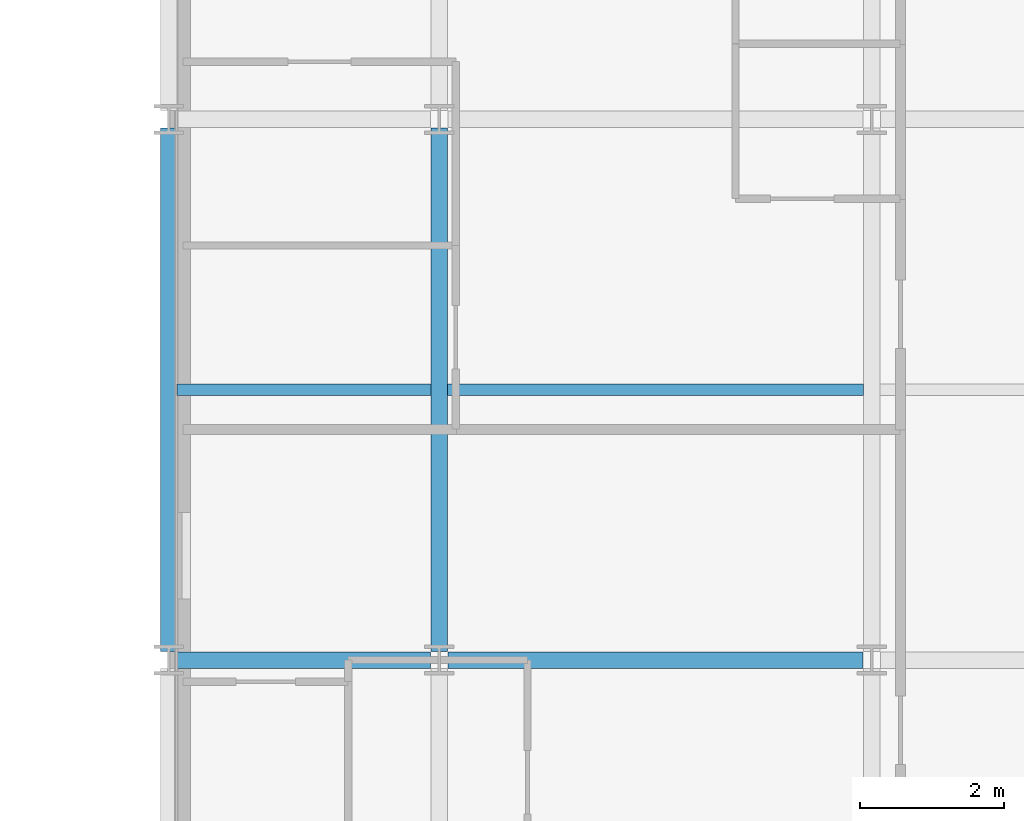
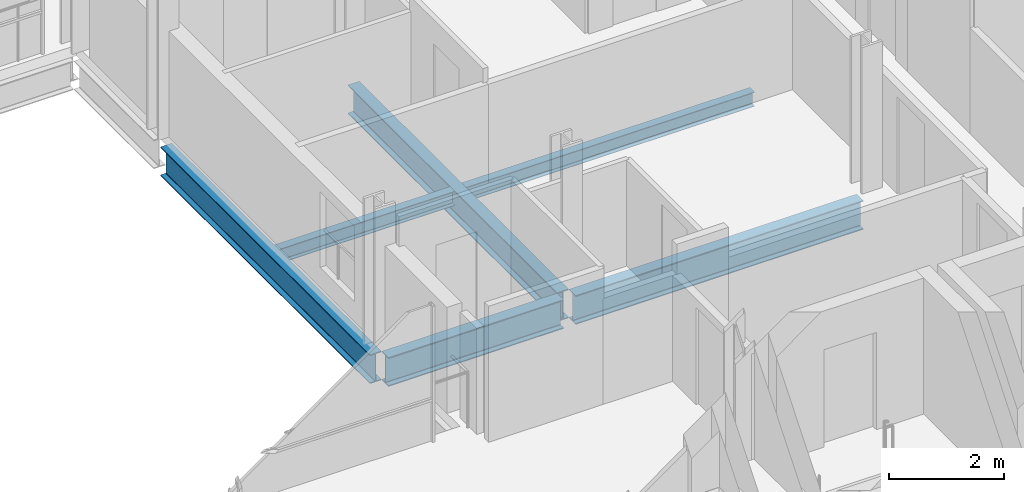
# One storey, part 16 of 41: 6 beams.
"""IFC4 building model written with IfcOpenShell, lengths in metres."""

from ifc_helpers import new_model, si_unit, direction, frame, origin, origin_2d, place, context, subcontext, project, spatial, i_section, extrude, material, material_profile, profile_set, type_object, element, save


model = new_model("IFC4")

# Units and contexts
model_context = context("Model", 3, precision=1e-05, world=origin(), true_north=direction((0.0, 1.0)))
body_context = subcontext(model_context, "Body", "Model", "MODEL_VIEW")
ifc_project = project(units=[si_unit("LENGTHUNIT", "METRE"), si_unit("AREAUNIT", "SQUARE_METRE"), si_unit("VOLUMEUNIT", "CUBIC_METRE"), si_unit("PLANEANGLEUNIT", "RADIAN"), si_unit("MASSUNIT", "GRAM", prefix="KILO")], contexts=[model_context])

# Site, building, storey
site_placement = place(None, origin())
site = spatial("IfcSite", under=ifc_project, at=site_placement, CompositionType="ELEMENT")
building_placement = place(site_placement, origin())
building = spatial("IfcBuilding", under=site, at=building_placement, Name="Brevholm Reach", CompositionType="ELEMENT")
storey_placement = place(building_placement, frame((0.0, 0.0, 100.39990234375)))
storey = spatial("IfcBuildingStorey", under=building, at=storey_placement, Name="L29", CompositionType="ELEMENT", Elevation=100.39990234375)

# Beams
ifc_material_1 = material(Name="Structural Steel S355J2", Category="steel")
ifc_material_profile_1 = material_profile(ifc_material_1, i_section(OverallWidth=0.1650390625, OverallDepth=0.303466796875, WebThickness=0.006103515625, FlangeThickness=0.01025390625, FilletRadius=0.0087890625, at=origin_2d()), Name="UKB 305x165x40")
ifc_profile_set_1 = profile_set([ifc_material_profile_1], Name="Structural Steel S355J2")
beam_type_1 = type_object("IfcBeamType", Name="BM-B305", PredefinedType="BEAM", material=ifc_profile_set_1)
beam_1_placement = place(storey_placement, frame((38.364501953125, 19.75, -0.37158203125), z_axis=(1.0, 0.0, 0.0), x_axis=(0.0, 1.0, 0.0)))
element("IfcBeam", 1, at=beam_1_placement, inside=storey, type_object=beam_type_1, Name="L29 Composite Secondary Floor Beam", PredefinedType="BEAM", context=body_context, shape_type="SweptSolid", body=[
    extrude(i_section(OverallWidth=0.1650390625, OverallDepth=0.303466796875, WebThickness=0.006103515625, FlangeThickness=0.01025390625, FilletRadius=0.0087890625, at=origin_2d()), origin(), (0.0, 0.0, 1.0), 3.52099609375),
])
beam_2_placement = place(storey_placement, frame((42.114501953125, 19.75, -0.37158203125), z_axis=(1.0, 0.0, 0.0), x_axis=(0.0, 1.0, 0.0)))
element("IfcBeam", 2, at=beam_2_placement, inside=storey, type_object=beam_type_1, Name="L29 Composite Secondary Floor Beam", PredefinedType="BEAM", context=body_context, shape_type="SweptSolid", body=[
    extrude(i_section(OverallWidth=0.1650390625, OverallDepth=0.303466796875, WebThickness=0.006103515625, FlangeThickness=0.01025390625, FilletRadius=0.0087890625, at=origin_2d()), origin(), (0.0, 0.0, 1.0), 5.77099609375),
])
ifc_material_2 = material(Name="Structural Steel S355J2", Category="steel")
ifc_material_profile_2 = material_profile(ifc_material_2, i_section(OverallWidth=0.22900390625, OverallDepth=0.6123046875, WebThickness=0.011962890625, FlangeThickness=0.01953125, FilletRadius=0.0126953125, at=origin_2d()), Name="UKB 610x229x125")
ifc_profile_set_2 = profile_set([ifc_material_profile_2], Name="Structural Steel S355J2")
beam_type_2 = type_object("IfcBeamType", Name="BM-SP610", PredefinedType="SPANDREL", material=ifc_profile_set_2)
beam_3_placement = place(storey_placement, frame((38.3701171875, 16.0, -0.526123046875), z_axis=(1.0, 0.0, 0.0), x_axis=(0.0, 1.0, 0.0)))
element("IfcBeam", 3, at=beam_3_placement, inside=storey, type_object=beam_type_2, Name="L29 SP-01 Framing Beam", PredefinedType="SPANDREL", context=body_context, shape_type="SweptSolid", body=[
    extrude(i_section(OverallWidth=0.22900390625, OverallDepth=0.6123046875, WebThickness=0.011962890625, FlangeThickness=0.01953125, FilletRadius=0.0126953125, at=origin_2d()), origin(), (0.0, 0.0, 1.0), 3.509765625),
])
beam_4_placement = place(storey_placement, frame((42.1201171875, 16.0, -0.526123046875), z_axis=(1.0, 0.0, 0.0), x_axis=(0.0, 1.0, 0.0)))
element("IfcBeam", 4, at=beam_4_placement, inside=storey, type_object=beam_type_2, Name="L29 SP-01 Framing Beam", PredefinedType="SPANDREL", context=body_context, shape_type="SweptSolid", body=[
    extrude(i_section(OverallWidth=0.22900390625, OverallDepth=0.6123046875, WebThickness=0.011962890625, FlangeThickness=0.01953125, FilletRadius=0.0126953125, at=origin_2d()), origin(), (0.0, 0.0, 1.0), 5.759765625),
])
for number, where, z_axis, x_axis, name in (
    (5, (38.25, 16.1201171875, -0.526123046875), (0.0, 1.0, 0.0), (-1.0, 0.0, 0.0), "L29 SP-01 Framing Beam"),
    (6, (42.0, 16.1201171875, -0.526123046875), (0.0, 1.0, 0.0), (-1.0, 0.0, 0.0), "L29 SP-01 Framing Beam"),
):
    element("IfcBeam", number, at=place(storey_placement, frame(where, z_axis=z_axis, x_axis=x_axis)), inside=storey, type_object=beam_type_2, Name=name, PredefinedType="SPANDREL", context=body_context, shape_type="SweptSolid", body=[
        extrude(i_section(OverallWidth=0.22900390625, OverallDepth=0.6123046875, WebThickness=0.011962890625, FlangeThickness=0.01953125, FilletRadius=0.0126953125, at=origin_2d()), origin(), (0.0, 0.0, 1.0), 7.259765625),
    ])

save(model, "model.ifc")
